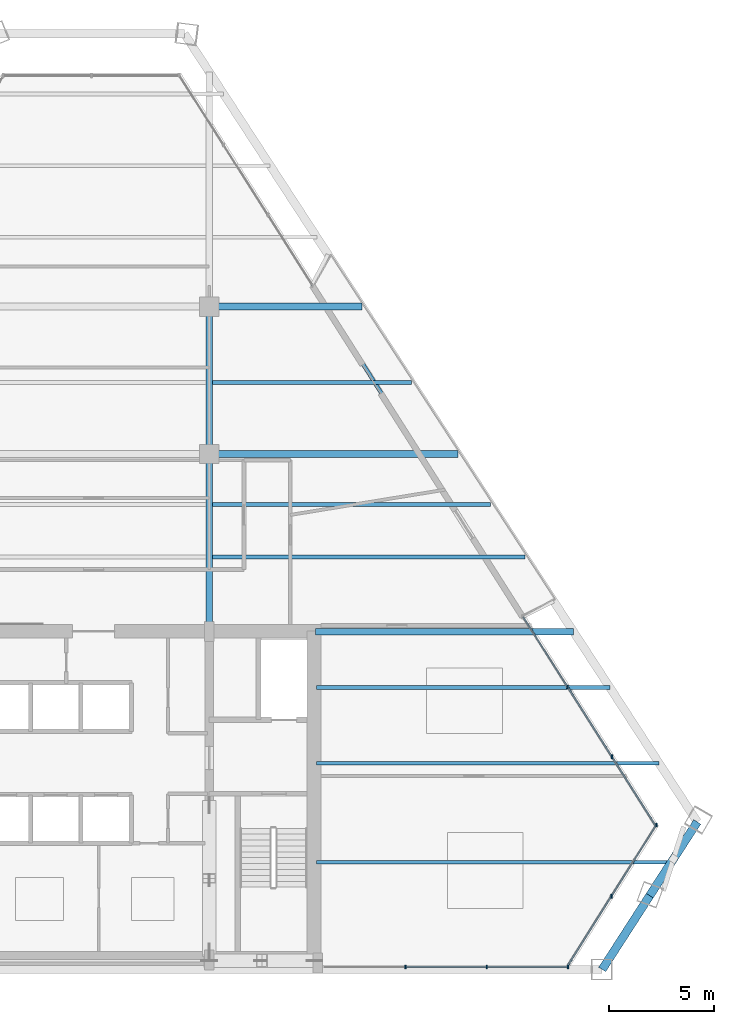
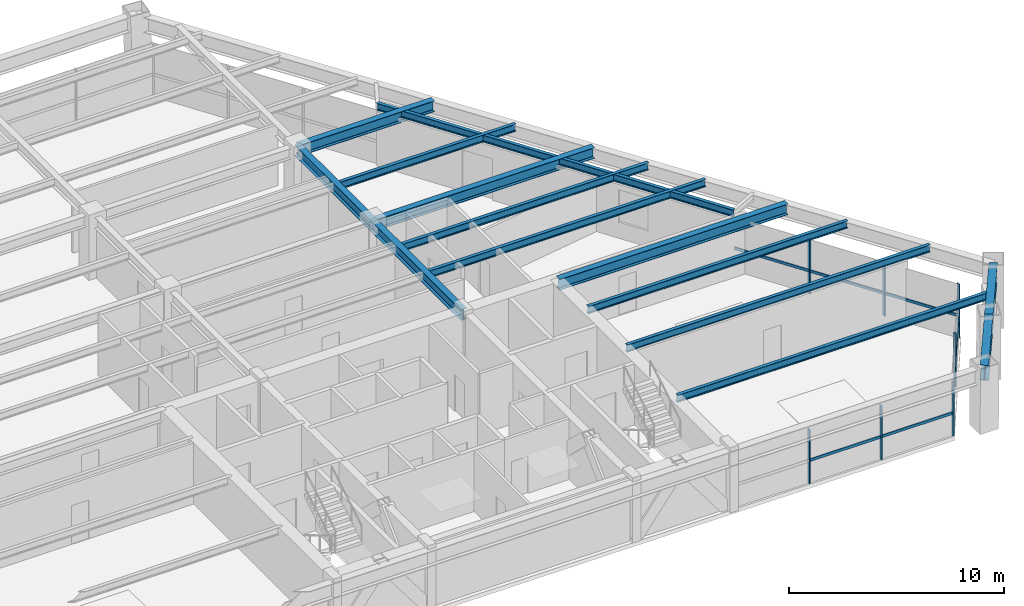
# One storey, part 6 of 15: 14 beams, 14 members, 3 elements without a shape of their own.
"""IFC4 building model written with IfcOpenShell, lengths in metres."""

from ifc_helpers import new_model, si_unit, direction, frame, origin, origin_2d, place, context, subcontext, project, spatial, rectangle, i_section, extrude, source, transform, mapped, material, material_profile, profile_set, type_object, type_shapes, element, aggregate, save


model = new_model("IFC4")

# Units and contexts
model_context = context("Model", 3, precision=1e-05, world=origin(), true_north=direction((0.0, 1.0)))
body_context = subcontext(model_context, "Body", "Model", "MODEL_VIEW")
ifc_project = project(units=[si_unit("LENGTHUNIT", "METRE"), si_unit("AREAUNIT", "SQUARE_METRE"), si_unit("VOLUMEUNIT", "CUBIC_METRE"), si_unit("PLANEANGLEUNIT", "RADIAN"), si_unit("MASSUNIT", "GRAM", prefix="KILO")], contexts=[model_context])

# Site, building, storey
site_placement = place(None, origin())
site = spatial("IfcSite", under=ifc_project, at=site_placement, CompositionType="ELEMENT")
building_placement = place(site_placement, origin())
building = spatial("IfcBuilding", under=site, at=building_placement, Name="Varnakhor Terracotta Tower", CompositionType="ELEMENT")
storey_placement = place(building_placement, frame((0.0, 0.0, 171.0)))
storey = spatial("IfcBuildingStorey", under=building, at=storey_placement, Name="L43", CompositionType="ELEMENT", Elevation=171.0)

# Beams
ifc_material_1 = material(Name="Steel S355", Category="steel")
ifc_material_profile_1 = material_profile(ifc_material_1, i_section(OverallWidth=0.324951171875, OverallDepth=0.615966796875, WebThickness=0.013916015625, FlangeThickness=0.02197265625, FilletRadius=0.01806640625, at=origin_2d()), Name="W24X117")
ifc_profile_set_1 = profile_set([ifc_material_profile_1], Name="Steel S355")
beam_type_1 = type_object("IfcBeamType", Name="BM-W24X117", PredefinedType="BEAM", material=ifc_profile_set_1)
shared_shape_1 = source(origin(), body_context, "Body", "SweptSolid", [
    extrude(i_section(OverallWidth=0.324951171875, OverallDepth=0.615966796875, WebThickness=0.013916015625, FlangeThickness=0.02197265625, FilletRadius=0.01806640625, at=origin_2d()), origin(), (0.0, 0.0, 1.0), 8.449951171875),
])
type_shapes(beam_type_1, [shared_shape_1])
beam_1_placement = place(storey_placement, frame((5.5, 16.050048828125, 3.162109375), z_axis=(0.0, 1.0, 0.0), x_axis=(-1.0, 0.0, 0.0)))
element("IfcBeam", 1, at=beam_1_placement, inside=storey, type_object=beam_type_1, Name="L43 Primary Girder NS1-E", PredefinedType="BEAM", context=body_context, shape_type="MappedRepresentation", body=[
    mapped(shared_shape_1, transform((0.0, 0.0, 0.0), scale=1.0)),
])
shared_shape_2 = source(origin(), body_context, "Body", "SweptSolid", [
    extrude(i_section(OverallWidth=0.324951171875, OverallDepth=0.615966796875, WebThickness=0.013916015625, FlangeThickness=0.02197265625, FilletRadius=0.01806640625, at=origin_2d()), origin(), (0.0, 0.0, 1.0), 7.0),
])
beam_2_placement = place(storey_placement, frame((5.5, 24.5, 3.162109375), z_axis=(0.0, 1.0, 0.0), x_axis=(-1.0, 0.0, 0.0)))
element("IfcBeam", 2, at=beam_2_placement, inside=storey, type_object=beam_type_1, Name="L43 Primary Girder NS2-E", PredefinedType="BEAM", context=body_context, shape_type="MappedRepresentation", body=[
    mapped(shared_shape_2, transform((0.0, 0.0, 0.0), scale=1.0)),
])
ifc_material_profile_2 = material_profile(ifc_material_1, i_section(OverallWidth=0.39990234375, OverallDepth=0.85498046875, WebThickness=0.01806640625, FlangeThickness=0.029052734375, FilletRadius=0.01806640625, at=origin_2d()), Name="W33X201")
ifc_profile_set_2 = profile_set([ifc_material_profile_2], Name="Steel S355")
beam_type_2 = type_object("IfcBeamType", Name="BM-W33X201", PredefinedType="BEAM", material=ifc_profile_set_2)
shared_shape_3 = source(origin(), body_context, "Body", "SweptSolid", [
    extrude(i_section(OverallWidth=0.39990234375, OverallDepth=0.85498046875, WebThickness=0.01806640625, FlangeThickness=0.029052734375, FilletRadius=0.01806640625, at=origin_2d()), origin(), (0.0, 0.0, 1.0), 4.171875),
])
for number, where, z_axis, x_axis, name in (
    (3, (24.17236328125, 0.0, 3.04248046875), (0.54177759527, 0.840521883869, 0.0), (-0.840521883869, 0.54177759527, 0.0), "L43 Perimeter Spandrel 2"),
    (4, (26.4326171875, 3.506591796875, 3.04248046875), (0.54184558625, 0.840478054836, 0.0), (-0.840478054836, 0.54184558625, 0.0), "L43 Perimeter Spandrel 3"),
):
    element("IfcBeam", number, at=place(storey_placement, frame(where, z_axis=z_axis, x_axis=x_axis)), inside=storey, type_object=beam_type_2, Name=name, PredefinedType="BEAM", context=body_context, shape_type="MappedRepresentation", body=[
        mapped(shared_shape_3, transform((0.0, 0.0, 0.0), scale=1.0)),
    ])
ifc_material_profile_3 = material_profile(ifc_material_1, i_section(OverallWidth=0.179931640625, OverallDepth=0.39990234375, WebThickness=0.008544921875, FlangeThickness=0.013427734375, FilletRadius=0.01806640625, at=origin_2d()), Name="IPE400")
ifc_profile_set_3 = profile_set([ifc_material_profile_3], Name="Steel S355")
beam_type_3 = type_object("IfcBeamType", Name="JST-IPE400", PredefinedType="JOIST", material=ifc_profile_set_3)
shared_shape_4 = source(origin(), body_context, "Body", "SweptSolid", [
    extrude(i_section(OverallWidth=0.179931640625, OverallDepth=0.39990234375, WebThickness=0.008544921875, FlangeThickness=0.013427734375, FilletRadius=0.01806640625, at=origin_2d()), origin(), (0.0, 0.0, 1.0), 18.701171875),
])
beam_3_placement = place(storey_placement, frame((20.417724609375, 16.76806640625, 3.27001953125), z_axis=(-0.535747298927, 0.844378369981, 0.0), x_axis=(-0.844378369981, -0.535747298927, 0.0)))
element("IfcBeam", 5, at=beam_3_placement, inside=storey, type_object=beam_type_3, Name="L43 Loggia Edge Beam 1", PredefinedType="JOIST", context=body_context, shape_type="MappedRepresentation", body=[
    mapped(shared_shape_4, transform((0.0, 0.0, 0.0), scale=1.0)),
])
shared_shape_5 = source(origin(), body_context, "Body", "SweptSolid", [
    extrude(i_section(OverallWidth=0.324951171875, OverallDepth=0.615966796875, WebThickness=0.013916015625, FlangeThickness=0.02197265625, FilletRadius=0.01806640625, at=origin_2d()), origin(), (0.0, 0.0, 1.0), 12.261962890625),
])
beam_4_placement = place(storey_placement, frame((10.550048828125, 16.050048828125, 3.162109375), z_axis=(1.0, 0.0, 0.0), x_axis=(0.0, 1.0, 0.0)))
element("IfcBeam", 6, at=beam_4_placement, inside=storey, type_object=beam_type_1, Name="L43 Wing Girder E", PredefinedType="BEAM", context=body_context, shape_type="MappedRepresentation", body=[
    mapped(shared_shape_5, transform((0.0, 0.0, 0.0), scale=1.0)),
])
shared_shape_6 = source(origin(), body_context, "Body", "SweptSolid", [
    extrude(i_section(OverallWidth=0.324951171875, OverallDepth=0.615966796875, WebThickness=0.013916015625, FlangeThickness=0.02197265625, FilletRadius=0.01806640625, at=origin_2d()), origin(), (0.0, 0.0, 1.0), 11.81298828125),
])
beam_5_placement = place(storey_placement, frame((5.5, 24.5, 3.162109375), z_axis=(1.0, 0.0, 0.0), x_axis=(0.0, 1.0, 0.0)))
element("IfcBeam", 7, at=beam_5_placement, inside=storey, type_object=beam_type_1, Name="L43 Primary Girder EW2-3", PredefinedType="BEAM", context=body_context, shape_type="MappedRepresentation", body=[
    mapped(shared_shape_6, transform((0.0, 0.0, 0.0), scale=1.0)),
])
shared_shape_7 = source(origin(), body_context, "Body", "SweptSolid", [
    extrude(i_section(OverallWidth=0.324951171875, OverallDepth=0.615966796875, WebThickness=0.013916015625, FlangeThickness=0.02197265625, FilletRadius=0.01806640625, at=origin_2d()), origin(), (0.0, 0.0, 1.0), 7.257568359375),
])
beam_6_placement = place(storey_placement, frame((5.5, 31.5, 3.162109375), z_axis=(1.0, 0.0, 0.0), x_axis=(0.0, 1.0, 0.0)))
element("IfcBeam", 8, at=beam_6_placement, inside=storey, type_object=beam_type_1, Name="L43 Primary Girder EW3-3", PredefinedType="BEAM", context=body_context, shape_type="MappedRepresentation", body=[
    mapped(shared_shape_7, transform((0.0, 0.0, 0.0), scale=1.0)),
])
ifc_material_profile_4 = material_profile(ifc_material_1, i_section(OverallWidth=0.179931640625, OverallDepth=0.4130859375, WebThickness=0.009765625, FlangeThickness=0.01611328125, FilletRadius=0.01806640625, at=origin_2d()), Name="W16X50")
ifc_profile_set_4 = profile_set([ifc_material_profile_4], Name="Steel S355")
beam_type_4 = type_object("IfcBeamType", Name="JST-W16X50", PredefinedType="JOIST", material=ifc_profile_set_4)
shared_shape_8 = source(origin(), body_context, "Body", "SweptSolid", [
    extrude(i_section(OverallWidth=0.179931640625, OverallDepth=0.4130859375, WebThickness=0.009765625, FlangeThickness=0.01611328125, FilletRadius=0.01806640625, at=origin_2d()), origin(), (0.0, 0.0, 1.0), 16.85986328125),
])
beam_7_placement = place(storey_placement, frame((10.60009765625, 5.10009765625, 3.263427734375), z_axis=(1.0, 0.0, 0.0), x_axis=(0.0, 1.0, 0.0)))
element("IfcBeam", 9, at=beam_7_placement, inside=storey, type_object=beam_type_4, Name="L43 Floor Joist E1", PredefinedType="JOIST", context=body_context, shape_type="MappedRepresentation", body=[
    mapped(shared_shape_8, transform((0.0, 0.0, 0.0), scale=1.0)),
])
shared_shape_9 = source(origin(), body_context, "Body", "SweptSolid", [
    extrude(i_section(OverallWidth=0.179931640625, OverallDepth=0.4130859375, WebThickness=0.009765625, FlangeThickness=0.01611328125, FilletRadius=0.01806640625, at=origin_2d()), origin(), (0.0, 0.0, 1.0), 16.279296875),
])
beam_8_placement = place(storey_placement, frame((10.60009765625, 9.800048828125, 3.263427734375), z_axis=(1.0, 0.0, 0.0), x_axis=(0.0, 1.0, 0.0)))
element("IfcBeam", 10, at=beam_8_placement, inside=storey, type_object=beam_type_4, Name="L43 Floor Joist E2", PredefinedType="JOIST", context=body_context, shape_type="MappedRepresentation", body=[
    mapped(shared_shape_9, transform((0.0, 0.0, 0.0), scale=1.0)),
])
shared_shape_10 = source(origin(), body_context, "Body", "SweptSolid", [
    extrude(i_section(OverallWidth=0.179931640625, OverallDepth=0.4130859375, WebThickness=0.009765625, FlangeThickness=0.01611328125, FilletRadius=0.01806640625, at=origin_2d()), origin(), (0.0, 0.0, 1.0), 13.9365234375),
])
beam_9_placement = place(storey_placement, frame((10.60009765625, 13.39990234375, 3.263427734375), z_axis=(1.0, 0.0, 0.0), x_axis=(0.0, 1.0, 0.0)))
element("IfcBeam", 11, at=beam_9_placement, inside=storey, type_object=beam_type_4, Name="L43 Floor Joist E3", PredefinedType="JOIST", context=body_context, shape_type="MappedRepresentation", body=[
    mapped(shared_shape_10, transform((0.0, 0.0, 0.0), scale=1.0)),
])
shared_shape_11 = source(origin(), body_context, "Body", "SweptSolid", [
    extrude(i_section(OverallWidth=0.179931640625, OverallDepth=0.4130859375, WebThickness=0.009765625, FlangeThickness=0.01611328125, FilletRadius=0.01806640625, at=origin_2d()), origin(), (0.0, 0.0, 1.0), 14.84326171875),
])
beam_10_placement = place(storey_placement, frame((5.658447265625, 19.60009765625, 3.263427734375), z_axis=(1.0, 0.0, 0.0), x_axis=(0.0, 1.0, 0.0)))
element("IfcBeam", 12, at=beam_10_placement, inside=storey, type_object=beam_type_4, Name="L43 Composite Floor Joist 4-3", PredefinedType="JOIST", context=body_context, shape_type="MappedRepresentation", body=[
    mapped(shared_shape_11, transform((0.0, 0.0, 0.0), scale=1.0)),
])
shared_shape_12 = source(origin(), body_context, "Body", "SweptSolid", [
    extrude(i_section(OverallWidth=0.179931640625, OverallDepth=0.4130859375, WebThickness=0.009765625, FlangeThickness=0.01611328125, FilletRadius=0.01806640625, at=origin_2d()), origin(), (0.0, 0.0, 1.0), 13.216552734375),
])
beam_11_placement = place(storey_placement, frame((5.658447265625, 22.10009765625, 3.263427734375), z_axis=(1.0, 0.0, 0.0), x_axis=(0.0, 1.0, 0.0)))
element("IfcBeam", 13, at=beam_11_placement, inside=storey, type_object=beam_type_4, Name="L43 Composite Floor Joist 5-3", PredefinedType="JOIST", context=body_context, shape_type="MappedRepresentation", body=[
    mapped(shared_shape_12, transform((0.0, 0.0, 0.0), scale=1.0)),
])
shared_shape_13 = source(origin(), body_context, "Body", "SweptSolid", [
    extrude(i_section(OverallWidth=0.179931640625, OverallDepth=0.4130859375, WebThickness=0.009765625, FlangeThickness=0.01611328125, FilletRadius=0.01806640625, at=origin_2d()), origin(), (0.0, 0.0, 1.0), 9.44189453125),
])
beam_12_placement = place(storey_placement, frame((5.658447265625, 27.89990234375, 3.263427734375), z_axis=(1.0, 0.0, 0.0), x_axis=(0.0, 1.0, 0.0)))
element("IfcBeam", 14, at=beam_12_placement, inside=storey, type_object=beam_type_4, Name="L43 Composite Floor Joist 6-3", PredefinedType="JOIST", context=body_context, shape_type="MappedRepresentation", body=[
    mapped(shared_shape_13, transform((0.0, 0.0, 0.0), scale=1.0)),
])

# Curtain wall, members
ifc_material_2 = material(Name="Anodised Aluminium Curtain Wall System", Category="aluminium")
curtain_wall_type = type_object("IfcCurtainWallType", Name="CW-SYS-MID-OFFICE", PredefinedType="NOTDEFINED", material=ifc_material_2)
curtain_wall_1_placement = place(storey_placement, origin())
curtain_wall_1 = element("IfcCurtainWall", 15, at=curtain_wall_1_placement, inside=storey, type_object=curtain_wall_type, Name="L43 E Facet Curtain Wall 2", PredefinedType="NOTDEFINED")
ifc_material_3 = material(Name="Anodised Aluminium 6063-T6", Category="aluminium")
ifc_material_profile_5 = material_profile(ifc_material_3, rectangle(XDim=0.070068359375, YDim=0.175048828125, at=origin_2d()), Name="ALU MULLION 70x175")
ifc_profile_set_5 = profile_set([ifc_material_profile_5], Name="Anodised Aluminium 6063-T6")
member_type_1 = type_object("IfcMemberType", Name="CWM-03", PredefinedType="MULLION", material=ifc_profile_set_5)
shared_shape_14 = source(origin(), body_context, "Body", "SweptSolid", [
    extrude(rectangle(XDim=0.070068359375, YDim=0.175048828125, at=origin_2d()), origin(), (0.0, 0.0, 1.0), 3.050048828125),
])
member_1_placement = place(storey_placement, frame((22.527099609375, 13.42919921875, 0.0), z_axis=(0.0, 0.0, 1.0), x_axis=(1.0, 0.0, 0.0)))
member_1 = element("IfcMember", 16, at=member_1_placement, type_object=member_type_1, Name="L43 E Facet Curtain Wall 2 Mullion 2", PredefinedType="MULLION", context=body_context, shape_type="MappedRepresentation", body=[
    mapped(shared_shape_14, transform((0.0, 0.0, 0.0), scale=1.0)),
])
member_2_placement = place(storey_placement, frame((24.635498046875, 10.107666015625, 0.0), z_axis=(0.0, 0.0, 1.0), x_axis=(1.0, 0.0, 0.0)))
member_2 = element("IfcMember", 17, at=member_2_placement, type_object=member_type_1, Name="L43 E Facet Curtain Wall 2 Mullion 3", PredefinedType="MULLION", context=body_context, shape_type="MappedRepresentation", body=[
    mapped(shared_shape_14, transform((0.0, 0.0, 0.0), scale=1.0)),
])

curtain_wall_2_placement = place(storey_placement, origin())
curtain_wall_2 = element("IfcCurtainWall", 18, at=curtain_wall_2_placement, inside=storey, type_object=curtain_wall_type, Name="L43 Facet Curtain Wall 4", PredefinedType="NOTDEFINED")
member_3_placement = place(storey_placement, frame((26.743896484375, 6.86376953125, 0.0), z_axis=(0.0, 0.0, 1.0), x_axis=(1.0, 0.0, 0.0)))
member_3 = element("IfcMember", 19, at=member_3_placement, type_object=member_type_1, Name="L43 Facet Curtain Wall 4 Mullion 1", PredefinedType="MULLION", context=body_context, shape_type="MappedRepresentation", body=[
    mapped(shared_shape_14, transform((0.0, 0.0, 0.0), scale=1.0)),
])
member_4_placement = place(storey_placement, frame((24.60791015625, 3.4765625, 0.0), z_axis=(0.0, 0.0, 1.0), x_axis=(1.0, 0.0, 0.0)))
member_4 = element("IfcMember", 20, at=member_4_placement, type_object=member_type_1, Name="L43 Facet Curtain Wall 4 Mullion 2", PredefinedType="MULLION", context=body_context, shape_type="MappedRepresentation", body=[
    mapped(shared_shape_14, transform((0.0, 0.0, 0.0), scale=1.0)),
])

curtain_wall_3_placement = place(storey_placement, origin())
curtain_wall_3 = element("IfcCurtainWall", 21, at=curtain_wall_3_placement, inside=storey, type_object=curtain_wall_type, Name="L43 South Wing Curtain Wall SSE", PredefinedType="NOTDEFINED")
member_5_placement = place(storey_placement, frame((22.547607421875, 0.1201171875, 0.0), z_axis=(0.0, 0.0, 1.0), x_axis=(1.0, 0.0, 0.0)))
member_5 = element("IfcMember", 22, at=member_5_placement, type_object=member_type_1, Name="L43 South Wing Curtain Wall SSE Mullion 1", PredefinedType="MULLION", context=body_context, shape_type="MappedRepresentation", body=[
    mapped(shared_shape_14, transform((0.0, 0.0, 0.0), scale=1.0)),
])
member_6_placement = place(storey_placement, frame((18.6884765625, 0.1201171875, 0.0), z_axis=(0.0, 0.0, 1.0), x_axis=(1.0, 0.0, 0.0)))
member_6 = element("IfcMember", 23, at=member_6_placement, type_object=member_type_1, Name="L43 South Wing Curtain Wall SSE Mullion 2", PredefinedType="MULLION", context=body_context, shape_type="MappedRepresentation", body=[
    mapped(shared_shape_14, transform((0.0, 0.0, 0.0), scale=1.0)),
])
member_7_placement = place(storey_placement, frame((14.8291015625, 0.1201171875, 0.0), z_axis=(0.0, 0.0, 1.0), x_axis=(1.0, 0.0, 0.0)))
member_7 = element("IfcMember", 24, at=member_7_placement, type_object=member_type_1, Name="L43 South Wing Curtain Wall SSE Mullion 3", PredefinedType="MULLION", context=body_context, shape_type="MappedRepresentation", body=[
    mapped(shared_shape_14, transform((0.0, 0.0, 0.0), scale=1.0)),
])

# Member
ifc_material_profile_6 = material_profile(ifc_material_3, rectangle(XDim=0.070068359375, YDim=0.155029296875, at=origin_2d()), Name="ALU TRANSOM 70x155")
ifc_profile_set_6 = profile_set([ifc_material_profile_6], Name="Anodised Aluminium 6063-T6")
member_type_2 = type_object("IfcMemberType", Name="CWT-03", PredefinedType="USERDEFINED", material=ifc_profile_set_6)
shared_shape_15 = source(origin(), body_context, "Body", "SweptSolid", [
    extrude(rectangle(XDim=0.070068359375, YDim=0.155029296875, at=origin_2d()), origin(), (0.0, 0.0, 1.0), 3.93408203125),
])
member_8_placement = place(storey_placement, frame((22.527099609375, 13.42919921875, 1.281005859375), z_axis=(0.535915467329, -0.844271645786, 0.0), x_axis=(0.844271645786, 0.535915467329, 0.0)))
member_8 = element("IfcMember", 25, at=member_8_placement, type_object=member_type_2, Name="L43 E Facet Curtain Wall 2 Transom 2", ObjectType="TRANSOM", PredefinedType="USERDEFINED", context=body_context, shape_type="MappedRepresentation", body=[
    mapped(shared_shape_15, transform((0.0, 0.0, 0.0), scale=1.0)),
])

member_9_placement = place(storey_placement, frame((24.635498046875, 10.107666015625, 1.281005859375), z_axis=(0.535915467329, -0.844271645786, 0.0), x_axis=(0.844271645786, 0.535915467329, 0.0)))
member_9 = element("IfcMember", 26, at=member_9_placement, type_object=member_type_2, Name="L43 E Facet Curtain Wall 2 Transom 3", ObjectType="TRANSOM", PredefinedType="USERDEFINED", context=body_context, shape_type="MappedRepresentation", body=[
    mapped(shared_shape_15, transform((0.0, 0.0, 0.0), scale=1.0)),
])

shared_shape_16 = source(origin(), body_context, "Body", "SweptSolid", [
    extrude(rectangle(XDim=0.070068359375, YDim=0.155029296875, at=origin_2d()), origin(), (0.0, 0.0, 1.0), 3.934326171875),
])
member_10_placement = place(storey_placement, frame((20.418701171875, 16.7509765625, 1.281005859375), z_axis=(0.535887390763, -0.844289467198, 0.0), x_axis=(0.844289467198, 0.535887390763, 0.0)))
member_10 = element("IfcMember", 27, at=member_10_placement, type_object=member_type_2, Name="L43 E Facet Curtain Wall 2 Transom 1", ObjectType="TRANSOM", PredefinedType="USERDEFINED", context=body_context, shape_type="MappedRepresentation", body=[
    mapped(shared_shape_16, transform((0.0, 0.0, 0.0), scale=1.0)),
])

aggregate(curtain_wall_1, [member_10, member_1, member_8, member_2, member_9])

shared_shape_17 = source(origin(), body_context, "Body", "SweptSolid", [
    extrude(rectangle(XDim=0.070068359375, YDim=0.155029296875, at=origin_2d()), origin(), (0.0, 0.0, 1.0), 4.00439453125),
])
member_11_placement = place(storey_placement, frame((26.743896484375, 6.86376953125, 1.281005859375), z_axis=(-0.533403349563, -0.845861020898, 0.0), x_axis=(0.845861020898, -0.533403349563, 0.0)))
member_11 = element("IfcMember", 28, at=member_11_placement, type_object=member_type_2, Name="L43 Facet Curtain Wall 4 Transom 1", ObjectType="TRANSOM", PredefinedType="USERDEFINED", context=body_context, shape_type="MappedRepresentation", body=[
    mapped(shared_shape_17, transform((0.0, 0.0, 0.0), scale=1.0)),
])

member_12_placement = place(storey_placement, frame((24.60791015625, 3.4765625, 1.281005859375), z_axis=(-0.533359726462, -0.845888528228, 0.0), x_axis=(0.845888528228, -0.533359726462, 0.0)))
member_12 = element("IfcMember", 29, at=member_12_placement, type_object=member_type_2, Name="L43 Facet Curtain Wall 4 Transom 2", ObjectType="TRANSOM", PredefinedType="USERDEFINED", context=body_context, shape_type="MappedRepresentation", body=[
    mapped(shared_shape_17, transform((0.0, 0.0, 0.0), scale=1.0)),
])

aggregate(curtain_wall_2, [member_3, member_11, member_4, member_12])

shared_shape_18 = source(origin(), body_context, "Body", "SweptSolid", [
    extrude(rectangle(XDim=0.070068359375, YDim=0.155029296875, at=origin_2d()), origin(), (0.0, 0.0, 1.0), 3.859130859375),
])
member_13_placement = place(storey_placement, frame((22.547607421875, 0.1201171875, 1.281005859375), z_axis=(-1.0, 0.0, 0.0), x_axis=(0.0, -1.0, 0.0)))
member_13 = element("IfcMember", 30, at=member_13_placement, type_object=member_type_2, Name="L43 South Wing Curtain Wall SSE Transom 1", ObjectType="TRANSOM", PredefinedType="USERDEFINED", context=body_context, shape_type="MappedRepresentation", body=[
    mapped(shared_shape_18, transform((0.0, 0.0, 0.0), scale=1.0)),
])

shared_shape_19 = source(origin(), body_context, "Body", "SweptSolid", [
    extrude(rectangle(XDim=0.070068359375, YDim=0.155029296875, at=origin_2d()), origin(), (0.0, 0.0, 1.0), 3.859375),
])
member_14_placement = place(storey_placement, frame((18.6884765625, 0.1201171875, 1.281005859375), z_axis=(-1.0, 0.0, 0.0), x_axis=(0.0, -1.0, 0.0)))
member_14 = element("IfcMember", 31, at=member_14_placement, type_object=member_type_2, Name="L43 South Wing Curtain Wall SSE Transom 2", ObjectType="TRANSOM", PredefinedType="USERDEFINED", context=body_context, shape_type="MappedRepresentation", body=[
    mapped(shared_shape_19, transform((0.0, 0.0, 0.0), scale=1.0)),
])

aggregate(curtain_wall_3, [member_5, member_13, member_6, member_14, member_7])

save(model, "model.ifc")
